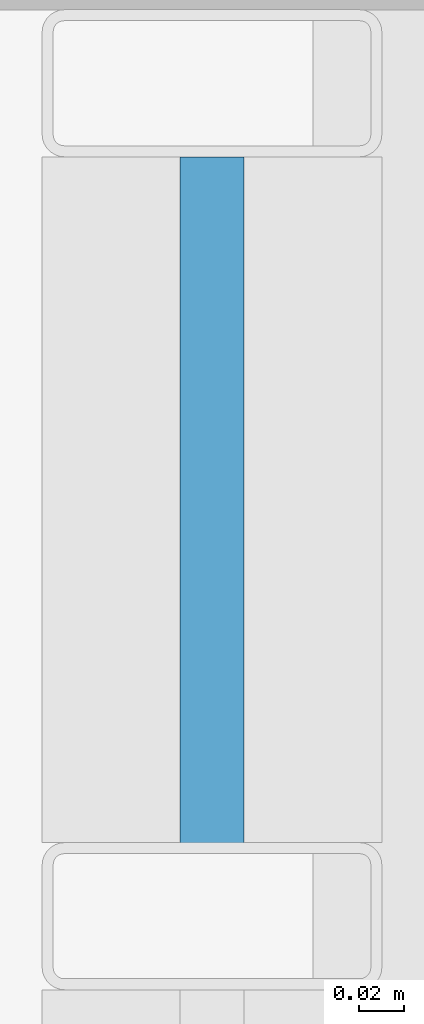
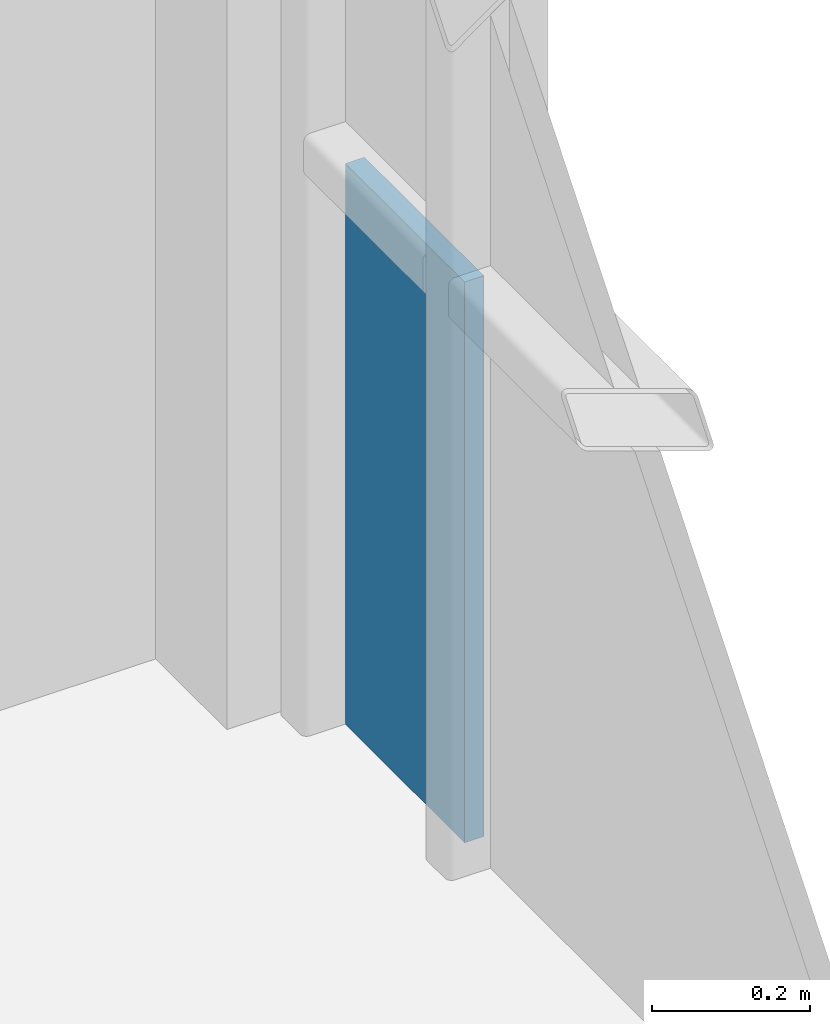
# One storey, part 30 of 41: 1 plate, 1 element without a shape of its own.
"""IFC4 building model written with IfcOpenShell, lengths in metres."""

from ifc_helpers import new_model, si_unit, direction, frame, origin, origin_2d, place, context, subcontext, project, spatial, rectangle, extrude, material, layer, layer_set, type_object, element, aggregate, save


model = new_model("IFC4")

# Units and contexts
model_context = context("Model", 3, precision=1e-05, world=origin(), true_north=direction((0.0, 1.0)))
body_context = subcontext(model_context, "Body", "Model", "MODEL_VIEW")
ifc_project = project(units=[si_unit("LENGTHUNIT", "METRE"), si_unit("AREAUNIT", "SQUARE_METRE"), si_unit("VOLUMEUNIT", "CUBIC_METRE"), si_unit("PLANEANGLEUNIT", "RADIAN"), si_unit("MASSUNIT", "GRAM", prefix="KILO")], contexts=[model_context])

# Site, building, storey
site_placement = place(None, origin())
site = spatial("IfcSite", under=ifc_project, at=site_placement, CompositionType="ELEMENT")
building_placement = place(site_placement, origin())
building = spatial("IfcBuilding", under=site, at=building_placement, Name="Brevholm Reach", CompositionType="ELEMENT")
storey_placement = place(building_placement, frame((0.0, 0.0, 74.5)))
storey = spatial("IfcBuildingStorey", under=building, at=storey_placement, Name="L21", CompositionType="ELEMENT", Elevation=74.5)

# Curtain wall, plate
ifc_material_1 = material(Name="Dark Anodised Aluminium 6063-T6 and Solar-Control Glass", Category="aluminium")
ifc_layer_1 = layer(ifc_material_1, 0.14990234375)
ifc_layer_set_1 = layer_set([ifc_layer_1], Name="Dark Anodised Aluminium 6063-T6 and Solar-Control Glass")
curtain_wall_type = type_object("IfcCurtainWallType", Name="CW-01", PredefinedType="NOTDEFINED", material=ifc_layer_set_1)
curtain_wall_placement = place(storey_placement, origin())
curtain_wall = element("IfcCurtainWall", 1, at=curtain_wall_placement, inside=storey, type_object=curtain_wall_type, Name="L21 Curtain Wall CW-01", PredefinedType="NOTDEFINED")
ifc_material_2 = material(Name="Dark Solar-Control Double-Glazed IGU Glass", Category="glass")
ifc_layer_2 = layer(ifc_material_2, 0.028076171875)
ifc_layer_set_2 = layer_set([ifc_layer_2], Name="Dark Solar-Control Double-Glazed IGU Glass")
plate_type = type_object("IfcPlateType", Name="CWP-GLZ-28", PredefinedType="CURTAIN_PANEL", material=ifc_layer_set_2)
plate_placement = place(storey_placement, frame((59.85009765625, 22.733642578125, 0.0), z_axis=(0.0, 0.0, 1.0), x_axis=(0.0, 1.0, 0.0)))
plate = element("IfcPlate", 2, at=plate_placement, type_object=plate_type, Name="CP-01 Glazing Panel 5.1", PredefinedType="CURTAIN_PANEL", context=body_context, shape_type="SweptSolid", body=[
    extrude(rectangle(XDim=0.302490234375, YDim=0.028076171875, at=origin_2d()), origin(), (0.0, 0.0, 1.0), 0.867431640625),
])
aggregate(curtain_wall, [plate])

save(model, "model.ifc")
